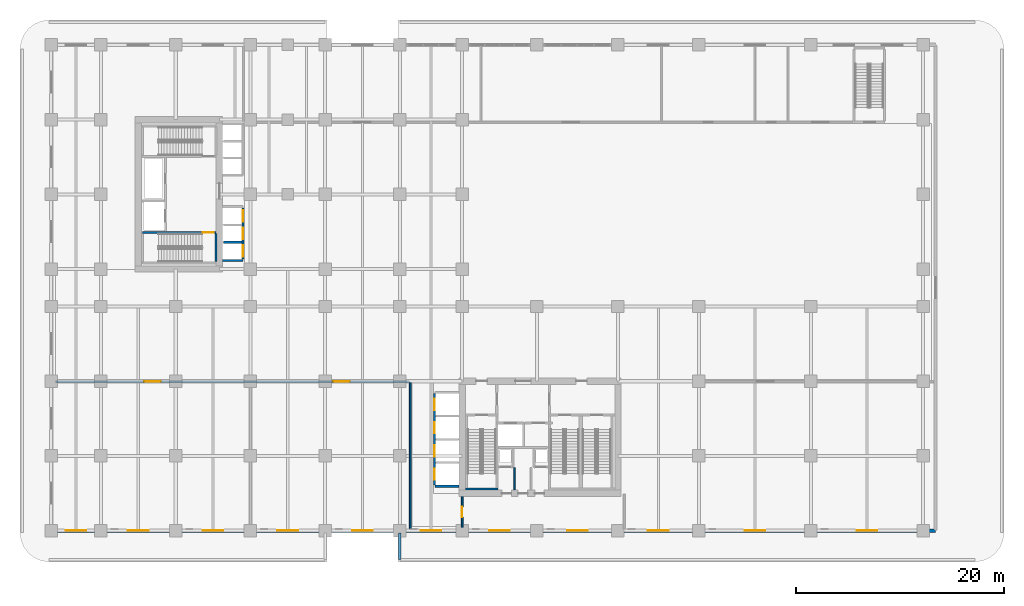
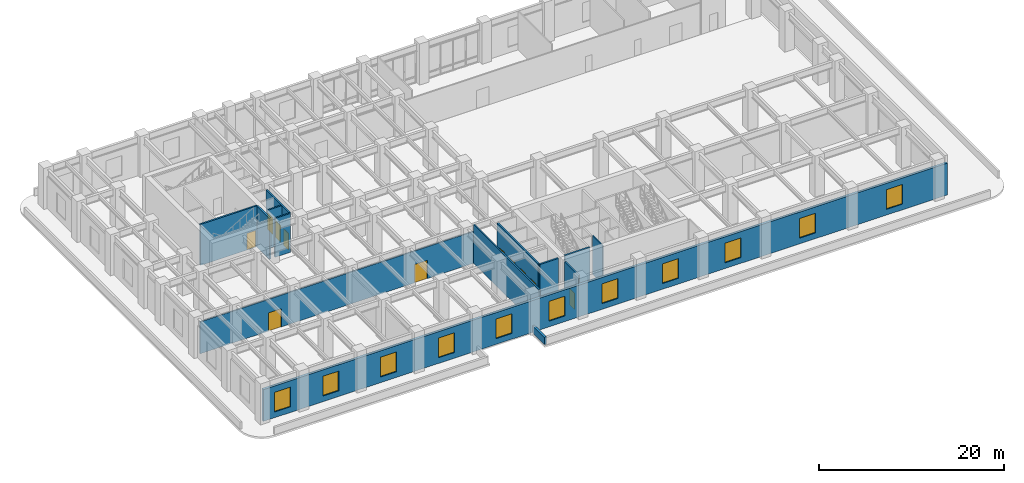
# One storey, part 10 of 20: 14 walls, 11 doors, 11 windows, 22 openings.
"""IFC4 building model written with IfcOpenShell, lengths in metres."""

from ifc_helpers import new_model, si_unit, derived_unit, direction, frame, frame_2d, origin, place, context, subcontext, project, spatial, rectangle, extrude, source, transform, mapped, material, layer, layer_set, type_object, type_shapes, element, fill, save


model = new_model("IFC4")

# Units and contexts
model_context = context("Model", 3, precision=1e-05, world=origin(), true_north=direction((0.0, 1.0)))
body_context = subcontext(model_context, "Body", "Model", "MODEL_VIEW")
ifc_project = project(units=[si_unit("LENGTHUNIT", "METRE"), si_unit("AREAUNIT", "SQUARE_METRE"), si_unit("VOLUMEUNIT", "CUBIC_METRE"), si_unit("PLANEANGLEUNIT", "RADIAN"), si_unit("MASSUNIT", "GRAM", prefix="KILO"), si_unit("THERMODYNAMICTEMPERATUREUNIT", "KELVIN"), si_unit("POWERUNIT", "WATT"), derived_unit("THERMALTRANSMITTANCEUNIT", [(si_unit("POWERUNIT", "WATT"), 1), (si_unit("AREAUNIT", "SQUARE_METRE"), -1), (si_unit("THERMODYNAMICTEMPERATUREUNIT", "KELVIN"), -1)])], contexts=[model_context])

# Site, building, storey
site_placement = place(None, origin())
site = spatial("IfcSite", under=ifc_project, at=site_placement, CompositionType="ELEMENT")
building_placement = place(site_placement, origin())
building = spatial("IfcBuilding", under=site, at=building_placement, Name="Zahravan Archway Hotel and Residences", CompositionType="ELEMENT")
storey_placement = place(building_placement, frame((0.0, 0.0, 16.199951171875)))
storey = spatial("IfcBuildingStorey", under=building, at=storey_placement, Name="L03", CompositionType="ELEMENT", Elevation=16.199951171875)

# Wall
ifc_material_1 = material(Name="Agra Buff Sandstone Coping Wall", Category="masonry")
ifc_layer_1 = layer(ifc_material_1, 0.25, Name="Agra Buff Sandstone Coping Wall", Category="masonry")
ifc_layer_set_1 = layer_set([ifc_layer_1], Name="Agra Buff Sandstone Coping Wall")
wall_type_1 = type_object("IfcWallType", Name="EW-PARA-250", PredefinedType="PARAPET", material=ifc_layer_set_1)
wall_1_placement = place(storey_placement, frame((28.800048828125, -2.800048828125, 0.0), z_axis=(0.0, 0.0, 1.0), x_axis=(0.0, 1.0, 0.0)))
element("IfcWall", 1, at=wall_1_placement, inside=storey, type_object=wall_type_1, Name="L03 Portico Coping Parapet 3", PredefinedType="PARAPET", context=body_context, shape_type="SweptSolid", body=[
    extrude(rectangle(XDim=2.570068359375, YDim=0.25, at=frame_2d((1.28515625, 0.0))), origin(), (0.0, 0.0, 1.0), 0.949951171875),
])

# Wall, openings, windows
ifc_material_2 = material(Name="Agra Buff Sandstone & Insulated Backup", Category="masonry")
ifc_layer_2 = layer(ifc_material_2, 0.320068359375, Name="Agra Buff Sandstone & Insulated Backup", Category="masonry")
ifc_layer_set_2 = layer_set([ifc_layer_2], Name="Agra Buff Sandstone & Insulated Backup")
wall_type_2 = type_object("IfcWallType", Name="EW-SAND-320", PredefinedType="SOLIDWALL", material=ifc_layer_set_2)
wall_2_placement = place(storey_placement, frame((-4.800048828125, 0.0, 0.0), z_axis=(0.0, 0.0, 1.0), x_axis=(1.0, 0.0, 0.0)))
wall_2 = element("IfcWall", 2, at=wall_2_placement, inside=storey, type_object=wall_type_2, Name="L03 Podium Sandstone S Wall", PredefinedType="SOLIDWALL", context=body_context, shape_type="SweptSolid", body=[
    extrude(rectangle(XDim=85.199951171875, YDim=0.320068359375, at=frame_2d((42.60009765625, 0.0))), origin(), (0.0, 0.0, 1.0), 4.18505859375),
])
opening_1_placement = place(wall_2_placement, frame((1.39990234375, 0.0, 0.75)))
opening_1 = element("IfcOpeningElement", 3, at=opening_1_placement, cuts=wall_2, Name="Opening W-01", PredefinedType="OPENING", context=body_context, shape_type="SweptSolid", body=[
    extrude(rectangle(XDim=2.0, YDim=2.60009765625, at=frame_2d((1.0, 1.300048828125))), frame((0.0, 0.169921875, 0.0), z_axis=(0.0, -1.0, 0.0), x_axis=(1.0, 0.0, 0.0)), (0.0, 0.0, 1.0), 0.340087890625),
])
opening_2_placement = place(wall_2_placement, frame((7.39990234375, 0.0, 0.75)))
opening_2 = element("IfcOpeningElement", 4, at=opening_2_placement, cuts=wall_2, Name="Opening W-01", PredefinedType="OPENING", context=body_context, shape_type="SweptSolid", body=[
    extrude(rectangle(XDim=2.0, YDim=2.60009765625, at=frame_2d((1.0, 1.300048828125))), frame((0.0, 0.169921875, 0.0), z_axis=(0.0, -1.0, 0.0), x_axis=(1.0, 0.0, 0.0)), (0.0, 0.0, 1.0), 0.340087890625),
])
opening_3_placement = place(wall_2_placement, frame((14.60009765625, 0.0, 0.75)))
opening_3 = element("IfcOpeningElement", 5, at=opening_3_placement, cuts=wall_2, Name="Opening W-01", PredefinedType="OPENING", context=body_context, shape_type="SweptSolid", body=[
    extrude(rectangle(XDim=2.0, YDim=2.60009765625, at=frame_2d((1.0, 1.300048828125))), frame((0.0, 0.169921875, 0.0), z_axis=(0.0, -1.0, 0.0), x_axis=(1.0, 0.0, 0.0)), (0.0, 0.0, 1.0), 0.340087890625),
])
opening_4_placement = place(wall_2_placement, frame((21.800048828125, 0.0, 0.75)))
opening_4 = element("IfcOpeningElement", 6, at=opening_4_placement, cuts=wall_2, Name="Opening W-01", PredefinedType="OPENING", context=body_context, shape_type="SweptSolid", body=[
    extrude(rectangle(XDim=2.0, YDim=2.60009765625, at=frame_2d((1.0, 1.300048828125))), frame((0.0, 0.169921875, 0.0), z_axis=(0.0, -1.0, 0.0), x_axis=(1.0, 0.0, 0.0)), (0.0, 0.0, 1.0), 0.340087890625),
])
opening_5_placement = place(wall_2_placement, frame((29.0, 0.0, 0.75)))
opening_5 = element("IfcOpeningElement", 7, at=opening_5_placement, cuts=wall_2, Name="Opening W-01", PredefinedType="OPENING", context=body_context, shape_type="SweptSolid", body=[
    extrude(rectangle(XDim=2.0, YDim=2.60009765625, at=frame_2d((1.0, 1.300048828125))), frame((0.0, 0.169921875, 0.0), z_axis=(0.0, -1.0, 0.0), x_axis=(1.0, 0.0, 0.0)), (0.0, 0.0, 1.0), 0.340087890625),
])
opening_6_placement = place(wall_2_placement, frame((35.60009765625, 0.0, 0.75)))
opening_6 = element("IfcOpeningElement", 8, at=opening_6_placement, cuts=wall_2, Name="Opening W-01", PredefinedType="OPENING", context=body_context, shape_type="SweptSolid", body=[
    extrude(rectangle(XDim=2.0, YDim=2.60009765625, at=frame_2d((1.0, 1.300048828125))), frame((0.0, 0.169921875, 0.0), z_axis=(0.0, -1.0, 0.0), x_axis=(1.0, 0.0, 0.0)), (0.0, 0.0, 1.0), 0.340087890625),
])
opening_7_placement = place(wall_2_placement, frame((42.199951171875, 0.0, 0.75)))
opening_7 = element("IfcOpeningElement", 9, at=opening_7_placement, cuts=wall_2, Name="Opening W-01", PredefinedType="OPENING", context=body_context, shape_type="SweptSolid", body=[
    extrude(rectangle(XDim=2.0, YDim=2.60009765625, at=frame_2d((1.0, 1.300048828125))), frame((0.0, 0.169921875, 0.0), z_axis=(0.0, -1.0, 0.0), x_axis=(1.0, 0.0, 0.0)), (0.0, 0.0, 1.0), 0.340087890625),
])
opening_8_placement = place(wall_2_placement, frame((49.699951171875, 0.0, 0.75)))
opening_8 = element("IfcOpeningElement", 10, at=opening_8_placement, cuts=wall_2, Name="Opening W-01", PredefinedType="OPENING", context=body_context, shape_type="SweptSolid", body=[
    extrude(rectangle(XDim=2.0, YDim=2.60009765625, at=frame_2d((1.0, 1.300048828125))), frame((0.0, 0.169921875, 0.0), z_axis=(0.0, -1.0, 0.0), x_axis=(1.0, 0.0, 0.0)), (0.0, 0.0, 1.0), 0.340087890625),
])
opening_9_placement = place(wall_2_placement, frame((57.5, 0.0, 0.75)))
opening_9 = element("IfcOpeningElement", 11, at=opening_9_placement, cuts=wall_2, Name="Opening W-01", PredefinedType="OPENING", context=body_context, shape_type="SweptSolid", body=[
    extrude(rectangle(XDim=2.0, YDim=2.60009765625, at=frame_2d((1.0, 1.300048828125))), frame((0.0, 0.169921875, 0.0), z_axis=(0.0, -1.0, 0.0), x_axis=(1.0, 0.0, 0.0)), (0.0, 0.0, 1.0), 0.340087890625),
])
opening_10_placement = place(wall_2_placement, frame((66.800048828125, 0.0, 0.75)))
opening_10 = element("IfcOpeningElement", 12, at=opening_10_placement, cuts=wall_2, Name="Opening W-01", PredefinedType="OPENING", context=body_context, shape_type="SweptSolid", body=[
    extrude(rectangle(XDim=2.0, YDim=2.60009765625, at=frame_2d((1.0, 1.300048828125))), frame((0.0, 0.169921875, 0.0), z_axis=(0.0, -1.0, 0.0), x_axis=(1.0, 0.0, 0.0)), (0.0, 0.0, 1.0), 0.340087890625),
])
opening_11_placement = place(wall_2_placement, frame((77.60009765625, 0.0, 0.75)))
opening_11 = element("IfcOpeningElement", 13, at=opening_11_placement, cuts=wall_2, Name="Opening W-01", PredefinedType="OPENING", context=body_context, shape_type="SweptSolid", body=[
    extrude(rectangle(XDim=2.0, YDim=2.60009765625, at=frame_2d((1.0, 1.300048828125))), frame((0.0, 0.169921875, 0.0), z_axis=(0.0, -1.0, 0.0), x_axis=(1.0, 0.0, 0.0)), (0.0, 0.0, 1.0), 0.340087890625),
])
ifc_material_3 = material(Name="Bronze-Anodized Thermal-Break Aluminium & Low-E Glass", Category="aluminium")
window_type = type_object("IfcWindowType", Name="WIN-ARC-2000", PartitioningType="DOUBLE_PANEL_VERTICAL", PredefinedType="WINDOW", material=ifc_material_3)
shared_shape_1 = source(origin(), body_context, "Body", "SweptSolid", [
    extrude(rectangle(XDim=2.0, YDim=2.60009765625, at=frame_2d((1.0, 1.300048828125))), frame((0.0, 0.030029296875, 0.0), z_axis=(0.0, -1.0, 0.0), x_axis=(1.0, 0.0, 0.0)), (0.0, 0.0, 1.0), 0.06005859375),
])
type_shapes(window_type, [shared_shape_1])
window_1_placement = place(opening_1_placement, origin())
window_1 = element("IfcWindow", 14, at=window_1_placement, inside=storey, type_object=window_type, Name="L03 Podium Mughal Arch Window 01", OverallHeight=2.60009765625, OverallWidth=2.0, PartitioningType="DOUBLE_PANEL_VERTICAL", PredefinedType="WINDOW", context=body_context, shape_type="MappedRepresentation", body=[
    mapped(shared_shape_1, transform((0.0, 0.0, 0.0), scale=1.0)),
])
fill(opening_1, window_1)
window_2_placement = place(opening_2_placement, origin())
window_2 = element("IfcWindow", 15, at=window_2_placement, inside=storey, type_object=window_type, Name="L03 Podium Mughal Arch Window 02", OverallHeight=2.60009765625, OverallWidth=2.0, PartitioningType="DOUBLE_PANEL_VERTICAL", PredefinedType="WINDOW", context=body_context, shape_type="MappedRepresentation", body=[
    mapped(shared_shape_1, transform((0.0, 0.0, 0.0), scale=1.0)),
])
fill(opening_2, window_2)
window_3_placement = place(opening_3_placement, origin())
window_3 = element("IfcWindow", 16, at=window_3_placement, inside=storey, type_object=window_type, Name="L03 Podium Mughal Arch Window 03", OverallHeight=2.60009765625, OverallWidth=2.0, PartitioningType="DOUBLE_PANEL_VERTICAL", PredefinedType="WINDOW", context=body_context, shape_type="MappedRepresentation", body=[
    mapped(shared_shape_1, transform((0.0, 0.0, 0.0), scale=1.0)),
])
fill(opening_3, window_3)
window_4_placement = place(opening_4_placement, origin())
window_4 = element("IfcWindow", 17, at=window_4_placement, inside=storey, type_object=window_type, Name="L03 Podium Mughal Arch Window 04", OverallHeight=2.60009765625, OverallWidth=2.0, PartitioningType="DOUBLE_PANEL_VERTICAL", PredefinedType="WINDOW", context=body_context, shape_type="MappedRepresentation", body=[
    mapped(shared_shape_1, transform((0.0, 0.0, 0.0), scale=1.0)),
])
fill(opening_4, window_4)
window_5_placement = place(opening_5_placement, origin())
window_5 = element("IfcWindow", 18, at=window_5_placement, inside=storey, type_object=window_type, Name="L03 Podium Mughal Arch Window 05", OverallHeight=2.60009765625, OverallWidth=2.0, PartitioningType="DOUBLE_PANEL_VERTICAL", PredefinedType="WINDOW", context=body_context, shape_type="MappedRepresentation", body=[
    mapped(shared_shape_1, transform((0.0, 0.0, 0.0), scale=1.0)),
])
fill(opening_5, window_5)
window_6_placement = place(opening_6_placement, origin())
window_6 = element("IfcWindow", 19, at=window_6_placement, inside=storey, type_object=window_type, Name="L03 Podium Mughal Arch Window 06", OverallHeight=2.60009765625, OverallWidth=2.0, PartitioningType="DOUBLE_PANEL_VERTICAL", PredefinedType="WINDOW", context=body_context, shape_type="MappedRepresentation", body=[
    mapped(shared_shape_1, transform((0.0, 0.0, 0.0), scale=1.0)),
])
fill(opening_6, window_6)
window_7_placement = place(opening_7_placement, origin())
window_7 = element("IfcWindow", 20, at=window_7_placement, inside=storey, type_object=window_type, Name="L03 Podium Mughal Arch Window 07", OverallHeight=2.60009765625, OverallWidth=2.0, PartitioningType="DOUBLE_PANEL_VERTICAL", PredefinedType="WINDOW", context=body_context, shape_type="MappedRepresentation", body=[
    mapped(shared_shape_1, transform((0.0, 0.0, 0.0), scale=1.0)),
])
fill(opening_7, window_7)
window_8_placement = place(opening_8_placement, origin())
window_8 = element("IfcWindow", 21, at=window_8_placement, inside=storey, type_object=window_type, Name="L03 Podium Mughal Arch Window 08", OverallHeight=2.60009765625, OverallWidth=2.0, PartitioningType="DOUBLE_PANEL_VERTICAL", PredefinedType="WINDOW", context=body_context, shape_type="MappedRepresentation", body=[
    mapped(shared_shape_1, transform((0.0, 0.0, 0.0), scale=1.0)),
])
fill(opening_8, window_8)
window_9_placement = place(opening_9_placement, origin())
window_9 = element("IfcWindow", 22, at=window_9_placement, inside=storey, type_object=window_type, Name="L03 Podium Mughal Arch Window 09", OverallHeight=2.60009765625, OverallWidth=2.0, PartitioningType="DOUBLE_PANEL_VERTICAL", PredefinedType="WINDOW", context=body_context, shape_type="MappedRepresentation", body=[
    mapped(shared_shape_1, transform((0.0, 0.0, 0.0), scale=1.0)),
])
fill(opening_9, window_9)
window_10_placement = place(opening_10_placement, origin())
window_10 = element("IfcWindow", 23, at=window_10_placement, inside=storey, type_object=window_type, Name="L03 Podium Mughal Arch Window 10", OverallHeight=2.60009765625, OverallWidth=2.0, PartitioningType="DOUBLE_PANEL_VERTICAL", PredefinedType="WINDOW", context=body_context, shape_type="MappedRepresentation", body=[
    mapped(shared_shape_1, transform((0.0, 0.0, 0.0), scale=1.0)),
])
fill(opening_10, window_10)
window_11_placement = place(opening_11_placement, origin())
window_11 = element("IfcWindow", 24, at=window_11_placement, inside=storey, type_object=window_type, Name="L03 Podium Mughal Arch Window 11", OverallHeight=2.60009765625, OverallWidth=2.0, PartitioningType="DOUBLE_PANEL_VERTICAL", PredefinedType="WINDOW", context=body_context, shape_type="MappedRepresentation", body=[
    mapped(shared_shape_1, transform((0.0, 0.0, 0.0), scale=1.0)),
])
fill(opening_11, window_11)

# Wall, opening, door
ifc_material_4 = material(Name="Fire-Rated Gypsum & Concrete Block", Category="concrete")
ifc_layer_3 = layer(ifc_material_4, 0.159912109375, Name="Fire-Rated Gypsum & Concrete Block", Category="concrete")
ifc_layer_set_3 = layer_set([ifc_layer_3], Name="Fire-Rated Gypsum & Concrete Block")
wall_type_3 = type_object("IfcWallType", Name="PW-CORR-160", PredefinedType="PARTITIONING", material=ifc_layer_set_3)
wall_3_placement = place(storey_placement, frame((34.800048828125, 0.320068359375, 0.0), z_axis=(0.0, 0.0, 1.0), x_axis=(0.0, 1.0, 0.0)))
wall_3 = element("IfcWall", 25, at=wall_3_placement, inside=storey, type_object=wall_type_3, Name="L03 Partition L03-CAS", PredefinedType="PARTITIONING", context=body_context, shape_type="SweptSolid", body=[
    extrude(rectangle(XDim=2.9599609375, YDim=0.159912109375, at=frame_2d((1.47998046875, 0.0))), origin(), (0.0, 0.0, 1.0), 5.10009765625),
])
opening_12_placement = place(wall_3_placement, frame((0.955078125, 0.0, 0.0)))
opening_12 = element("IfcOpeningElement", 26, at=opening_12_placement, cuts=wall_3, Name="Opening FD-L2", PredefinedType="OPENING", context=body_context, shape_type="SweptSolid", body=[
    extrude(rectangle(XDim=1.050048828125, YDim=2.14990234375, at=frame_2d((0.52490234375, 1.074951171875))), frame((0.0, 0.08984375, 0.0), z_axis=(0.0, -1.0, 0.0), x_axis=(1.0, 0.0, 0.0)), (0.0, 0.0, 1.0), 0.179931640625),
])
ifc_material_5 = material(Name="Fire-Rated Painted Steel", Category="steel")
door_type_1 = type_object("IfcDoorType", Name="FD-LOBBY-1100", OperationType="NOTDEFINED", PredefinedType="DOOR", material=ifc_material_5)
shared_shape_2 = source(origin(), body_context, "Body", "SweptSolid", [
    extrude(rectangle(XDim=1.050048828125, YDim=2.14990234375, at=frame_2d((0.52490234375, 1.074951171875))), frame((0.0, 0.02490234375, 0.0), z_axis=(0.0, -1.0, 0.0), x_axis=(1.0, 0.0, 0.0)), (0.0, 0.0, 1.0), 0.050048828125),
])
type_shapes(door_type_1, [shared_shape_2])
door_1_placement = place(opening_12_placement, origin())
door_1 = element("IfcDoor", 27, at=door_1_placement, inside=storey, type_object=door_type_1, Name="L03 South Riser Access Door", OperationType="SINGLE_SWING_RIGHT", OverallHeight=2.14990234375, OverallWidth=1.050048828125, PredefinedType="DOOR", context=body_context, shape_type="MappedRepresentation", body=[
    mapped(shared_shape_2, transform((0.0, 0.0, 0.0), scale=1.0)),
])
fill(opening_12, door_1)

# Wall, openings, doors
wall_4_placement = place(storey_placement, frame((-4.360107421875, 14.35009765625, 0.0), z_axis=(0.0, 0.0, 1.0), x_axis=(1.0, 0.0, 0.0)))
wall_4 = element("IfcWall", 28, at=wall_4_placement, inside=storey, type_object=wall_type_3, Name="L03 Partition L03-GS", PredefinedType="PARTITIONING", context=body_context, shape_type="SweptSolid", body=[
    extrude(rectangle(XDim=34.070068359375, YDim=0.159912109375, at=frame_2d((17.03515625, 0.0))), origin(), (0.0, 0.0, 1.0), 4.18505859375),
])
opening_13_placement = place(wall_4_placement, frame((8.534912109375, 0.0, 0.0)))
opening_13 = element("IfcOpeningElement", 29, at=opening_13_placement, cuts=wall_4, Name="Opening D-P2", PredefinedType="OPENING", context=body_context, shape_type="SweptSolid", body=[
    extrude(rectangle(XDim=1.60009765625, YDim=2.39990234375, at=frame_2d((0.800048828125, 1.199951171875))), frame((0.0, 0.08984375, 0.0), z_axis=(0.0, -1.0, 0.0), x_axis=(1.0, 0.0, 0.0)), (0.0, 0.0, 1.0), 0.179931640625),
])
opening_14_placement = place(wall_4_placement, frame((26.722412109375, 0.0, 0.0)))
opening_14 = element("IfcOpeningElement", 30, at=opening_14_placement, cuts=wall_4, Name="Opening D-P2", PredefinedType="OPENING", context=body_context, shape_type="SweptSolid", body=[
    extrude(rectangle(XDim=1.60009765625, YDim=2.39990234375, at=frame_2d((0.800048828125, 1.199951171875))), frame((0.0, 0.08984375, 0.0), z_axis=(0.0, -1.0, 0.0), x_axis=(1.0, 0.0, 0.0)), (0.0, 0.0, 1.0), 0.179931640625),
])
ifc_material_6 = material(Name="Bronze-Anodized Glazed Aluminium", Category="aluminium")
door_type_2 = type_object("IfcDoorType", Name="ID-PUBLIC-1600", OperationType="DOUBLE_DOOR_SINGLE_SWING", PredefinedType="DOOR", material=ifc_material_6)
shared_shape_3 = source(origin(), body_context, "Body", "SweptSolid", [
    extrude(rectangle(XDim=1.60009765625, YDim=2.39990234375, at=frame_2d((0.800048828125, 1.199951171875))), frame((0.0, 0.02490234375, 0.0), z_axis=(0.0, -1.0, 0.0), x_axis=(1.0, 0.0, 0.0)), (0.0, 0.0, 1.0), 0.050048828125),
])
type_shapes(door_type_2, [shared_shape_3])
door_2_placement = place(opening_13_placement, origin())
door_2 = element("IfcDoor", 31, at=door_2_placement, inside=storey, type_object=door_type_2, Name="L03 Executive Conference Suite A Door", OperationType="DOUBLE_DOOR_SINGLE_SWING", OverallHeight=2.39990234375, OverallWidth=1.60009765625, PredefinedType="DOOR", context=body_context, shape_type="MappedRepresentation", body=[
    mapped(shared_shape_3, transform((0.0, 0.0, 0.0), scale=1.0)),
])
fill(opening_13, door_2)
door_3_placement = place(opening_14_placement, origin())
door_3 = element("IfcDoor", 32, at=door_3_placement, inside=storey, type_object=door_type_2, Name="L03 Boardrooms & Breakout Lounge Door", OperationType="DOUBLE_DOOR_SINGLE_SWING", OverallHeight=2.39990234375, OverallWidth=1.60009765625, PredefinedType="DOOR", context=body_context, shape_type="MappedRepresentation", body=[
    mapped(shared_shape_3, transform((0.0, 0.0, 0.0), scale=1.0)),
])
fill(opening_14, door_3)

# Wall
ifc_layer_4 = layer(ifc_material_4, 0.199951171875, Name="Fire-Rated Gypsum & Concrete Block", Category="concrete")
ifc_layer_set_4 = layer_set([ifc_layer_4], Name="Fire-Rated Gypsum & Concrete Block")
wall_type_4 = type_object("IfcWallType", Name="PW-SHAFT-200", PredefinedType="PARTITIONING", material=ifc_layer_set_4)
wall_5_placement = place(storey_placement, frame((32.159912109375, 4.280029296875, 0.0), z_axis=(0.0, 0.0, 1.0), x_axis=(1.0, 0.0, 0.0)))
element("IfcWall", 33, at=wall_5_placement, inside=storey, type_object=wall_type_4, Name="L03 Partition B3-S", PredefinedType="PARTITIONING", context=body_context, shape_type="SweptSolid", body=[
    extrude(rectangle(XDim=2.31005859375, YDim=0.199951171875, at=frame_2d((1.155029296875, 0.0))), origin(), (0.0, 0.0, 1.0), 5.10009765625),
])

# Wall, openings, doors
wall_6_placement = place(storey_placement, frame((32.14990234375, 4.389892578125, 0.0), z_axis=(0.0, 0.0, 1.0), x_axis=(0.0, 1.0, 0.0)))
wall_6 = element("IfcWall", 34, at=wall_6_placement, inside=storey, type_object=wall_type_4, Name="L03 Partition B3-W", PredefinedType="PARTITIONING", context=body_context, shape_type="SweptSolid", body=[
    extrude(rectangle(XDim=8.820068359375, YDim=0.199951171875, at=frame_2d((4.41015625, 0.0))), origin(), (0.0, 0.0, 1.0), 5.10009765625),
])
opening_15_placement = place(wall_6_placement, frame((0.5, 0.0, 0.0)))
opening_15 = element("IfcOpeningElement", 35, at=opening_15_placement, cuts=wall_6, Name="Opening LD", PredefinedType="OPENING", context=body_context, shape_type="SweptSolid", body=[
    extrude(rectangle(XDim=1.10009765625, YDim=2.199951171875, at=frame_2d((0.550048828125, 1.10009765625))), frame((0.0, 0.10986328125, 0.0), z_axis=(0.0, -1.0, 0.0), x_axis=(1.0, 0.0, 0.0)), (0.0, 0.0, 1.0), 0.219970703125),
])
opening_16_placement = place(wall_6_placement, frame((2.739990234375, 0.0, 0.0)))
opening_16 = element("IfcOpeningElement", 36, at=opening_16_placement, cuts=wall_6, Name="Opening LD", PredefinedType="OPENING", context=body_context, shape_type="SweptSolid", body=[
    extrude(rectangle(XDim=1.10009765625, YDim=2.199951171875, at=frame_2d((0.550048828125, 1.10009765625))), frame((0.0, 0.10986328125, 0.0), z_axis=(0.0, -1.0, 0.0), x_axis=(1.0, 0.0, 0.0)), (0.0, 0.0, 1.0), 0.219970703125),
])
opening_17_placement = place(wall_6_placement, frame((4.97998046875, 0.0, 0.0)))
opening_17 = element("IfcOpeningElement", 37, at=opening_17_placement, cuts=wall_6, Name="Opening LD", PredefinedType="OPENING", context=body_context, shape_type="SweptSolid", body=[
    extrude(rectangle(XDim=1.10009765625, YDim=2.199951171875, at=frame_2d((0.550048828125, 1.10009765625))), frame((0.0, 0.10986328125, 0.0), z_axis=(0.0, -1.0, 0.0), x_axis=(1.0, 0.0, 0.0)), (0.0, 0.0, 1.0), 0.219970703125),
])
opening_18_placement = place(wall_6_placement, frame((7.219970703125, 0.0, 0.0)))
opening_18 = element("IfcOpeningElement", 38, at=opening_18_placement, cuts=wall_6, Name="Opening LD", PredefinedType="OPENING", context=body_context, shape_type="SweptSolid", body=[
    extrude(rectangle(XDim=1.10009765625, YDim=2.199951171875, at=frame_2d((0.550048828125, 1.10009765625))), frame((0.0, 0.10986328125, 0.0), z_axis=(0.0, -1.0, 0.0), x_axis=(1.0, 0.0, 0.0)), (0.0, 0.0, 1.0), 0.219970703125),
])
ifc_material_7 = material(Name="Brushed Stainless Steel", Category="steel")
door_type_3 = type_object("IfcDoorType", Name="DR-LIFT-LD", OperationType="SLIDING_TO_LEFT", PredefinedType="DOOR", material=ifc_material_7)
shared_shape_4 = source(origin(), body_context, "Body", "SweptSolid", [
    extrude(rectangle(XDim=1.10009765625, YDim=2.199951171875, at=frame_2d((0.550048828125, 1.10009765625))), frame((0.0, 0.02490234375, 0.0), z_axis=(0.0, -1.0, 0.0), x_axis=(1.0, 0.0, 0.0)), (0.0, 0.0, 1.0), 0.050048828125),
])
type_shapes(door_type_3, [shared_shape_4])
door_4_placement = place(opening_15_placement, origin())
door_4 = element("IfcDoor", 39, at=door_4_placement, inside=storey, type_object=door_type_3, Name="L03 Lift LP-7 Sliding Landing Door", OperationType="SLIDING_TO_LEFT", OverallHeight=2.199951171875, OverallWidth=1.10009765625, PredefinedType="DOOR", context=body_context, shape_type="MappedRepresentation", body=[
    mapped(shared_shape_4, transform((0.0, 0.0, 0.0), scale=1.0)),
])
fill(opening_15, door_4)
door_5_placement = place(opening_16_placement, origin())
door_5 = element("IfcDoor", 40, at=door_5_placement, inside=storey, type_object=door_type_3, Name="L03 Lift LP-8 Sliding Landing Door", OperationType="SLIDING_TO_LEFT", OverallHeight=2.199951171875, OverallWidth=1.10009765625, PredefinedType="DOOR", context=body_context, shape_type="MappedRepresentation", body=[
    mapped(shared_shape_4, transform((0.0, 0.0, 0.0), scale=1.0)),
])
fill(opening_16, door_5)
door_6_placement = place(opening_17_placement, origin())
door_6 = element("IfcDoor", 41, at=door_6_placement, inside=storey, type_object=door_type_3, Name="L03 Lift LP-9 Sliding Landing Door", OperationType="SLIDING_TO_LEFT", OverallHeight=2.199951171875, OverallWidth=1.10009765625, PredefinedType="DOOR", context=body_context, shape_type="MappedRepresentation", body=[
    mapped(shared_shape_4, transform((0.0, 0.0, 0.0), scale=1.0)),
])
fill(opening_17, door_6)
door_7_placement = place(opening_18_placement, origin())
door_7 = element("IfcDoor", 42, at=door_7_placement, inside=storey, type_object=door_type_3, Name="L03 Lift LP-10 Sliding Landing Door", OperationType="SLIDING_TO_LEFT", OverallHeight=2.199951171875, OverallWidth=1.10009765625, PredefinedType="DOOR", context=body_context, shape_type="MappedRepresentation", body=[
    mapped(shared_shape_4, transform((0.0, 0.0, 0.0), scale=1.0)),
])
fill(opening_18, door_7)

# Wall
wall_7_placement = place(storey_placement, frame((11.7099609375, 26.050048828125, 0.0), z_axis=(0.0, 0.0, 1.0), x_axis=(1.0, 0.0, 0.0)))
element("IfcWall", 43, at=wall_7_placement, inside=storey, type_object=wall_type_4, Name="L03 Partition B1-S", PredefinedType="PARTITIONING", context=body_context, shape_type="SweptSolid", body=[
    extrude(rectangle(XDim=1.9599609375, YDim=0.199951171875, at=frame_2d((0.97998046875, 0.0))), origin(), (0.0, 0.0, 1.0), 5.10009765625),
])

# Wall, openings, doors
wall_8_placement = place(storey_placement, frame((13.679931640625, 26.159912109375, 0.0), z_axis=(0.0, 0.0, 1.0), x_axis=(0.0, 1.0, 0.0)))
wall_8 = element("IfcWall", 44, at=wall_8_placement, inside=storey, type_object=wall_type_4, Name="L03 Partition B1-E", PredefinedType="PARTITIONING", context=body_context, shape_type="SweptSolid", body=[
    extrude(rectangle(XDim=4.940185546875, YDim=0.199951171875, at=frame_2d((2.47021484375, 0.0))), origin(), (0.0, 0.0, 1.0), 5.10009765625),
])
opening_19_placement = place(wall_8_placement, frame((0.239990234375, 0.0, 0.0)))
opening_19 = element("IfcOpeningElement", 45, at=opening_19_placement, cuts=wall_8, Name="Opening LD", PredefinedType="OPENING", context=body_context, shape_type="SweptSolid", body=[
    extrude(rectangle(XDim=1.10009765625, YDim=2.199951171875, at=frame_2d((0.550048828125, 1.10009765625))), frame((0.0, 0.10986328125, 0.0), z_axis=(0.0, -1.0, 0.0), x_axis=(1.0, 0.0, 0.0)), (0.0, 0.0, 1.0), 0.219970703125),
])
opening_20_placement = place(wall_8_placement, frame((1.919921875, 0.0, 0.0)))
opening_20 = element("IfcOpeningElement", 46, at=opening_20_placement, cuts=wall_8, Name="Opening LD", PredefinedType="OPENING", context=body_context, shape_type="SweptSolid", body=[
    extrude(rectangle(XDim=1.10009765625, YDim=2.199951171875, at=frame_2d((0.550048828125, 1.10009765625))), frame((0.0, 0.10986328125, 0.0), z_axis=(0.0, -1.0, 0.0), x_axis=(1.0, 0.0, 0.0)), (0.0, 0.0, 1.0), 0.219970703125),
])
opening_21_placement = place(wall_8_placement, frame((3.60009765625, 0.0, 0.0)))
opening_21 = element("IfcOpeningElement", 47, at=opening_21_placement, cuts=wall_8, Name="Opening LD", PredefinedType="OPENING", context=body_context, shape_type="SweptSolid", body=[
    extrude(rectangle(XDim=1.10009765625, YDim=2.199951171875, at=frame_2d((0.550048828125, 1.10009765625))), frame((0.0, 0.10986328125, 0.0), z_axis=(0.0, -1.0, 0.0), x_axis=(1.0, 0.0, 0.0)), (0.0, 0.0, 1.0), 0.219970703125),
])
door_8_placement = place(opening_19_placement, origin())
door_8 = element("IfcDoor", 48, at=door_8_placement, inside=storey, type_object=door_type_3, Name="L03 Lift LP-1 Sliding Landing Door", OperationType="SLIDING_TO_LEFT", OverallHeight=2.199951171875, OverallWidth=1.10009765625, PredefinedType="DOOR", context=body_context, shape_type="MappedRepresentation", body=[
    mapped(shared_shape_4, transform((0.0, 0.0, 0.0), scale=1.0)),
])
fill(opening_19, door_8)
door_9_placement = place(opening_20_placement, origin())
door_9 = element("IfcDoor", 49, at=door_9_placement, inside=storey, type_object=door_type_3, Name="L03 Lift LP-2 Sliding Landing Door", OperationType="SLIDING_TO_LEFT", OverallHeight=2.199951171875, OverallWidth=1.10009765625, PredefinedType="DOOR", context=body_context, shape_type="MappedRepresentation", body=[
    mapped(shared_shape_4, transform((0.0, 0.0, 0.0), scale=1.0)),
])
fill(opening_20, door_9)
door_10_placement = place(opening_21_placement, origin())
door_10 = element("IfcDoor", 50, at=door_10_placement, inside=storey, type_object=door_type_3, Name="L03 Lift LP-3 Sliding Landing Door", OperationType="SLIDING_TO_LEFT", OverallHeight=2.199951171875, OverallWidth=1.10009765625, PredefinedType="DOOR", context=body_context, shape_type="MappedRepresentation", body=[
    mapped(shared_shape_4, transform((0.0, 0.0, 0.0), scale=1.0)),
])
fill(opening_21, door_10)

# Walls
wall_9_placement = place(storey_placement, frame((11.81005859375, 27.7900390625, 0.0), z_axis=(0.0, 0.0, 1.0), x_axis=(1.0, 0.0, 0.0)))
element("IfcWall", 51, at=wall_9_placement, inside=storey, type_object=wall_type_4, Name="L03 Partition B1-D", PredefinedType="PARTITIONING", context=body_context, shape_type="SweptSolid", body=[
    extrude(rectangle(XDim=1.760009765625, YDim=0.199951171875, at=frame_2d((0.8798828125, 0.0))), origin(), (0.0, 0.0, 1.0), 5.10009765625),
])
ifc_material_8 = material(Name="Acoustic Stud Partition")
ifc_layer_5 = layer(ifc_material_8, 0.169921875, Name="Acoustic Stud Partition")
ifc_layer_set_5 = layer_set([ifc_layer_5], Name="Acoustic Stud Partition")
wall_type_5 = type_object("IfcWallType", Name="PW-UNIT-170", PredefinedType="PARTITIONING", material=ifc_layer_set_5)
wall_10_placement = place(storey_placement, frame((29.800048828125, 0.16796875, 0.0), z_axis=(0.0, 0.0, 1.0), x_axis=(0.0, 1.0, 0.0)))
element("IfcWall", 52, at=wall_10_placement, inside=storey, type_object=wall_type_5, Name="L03 Partition L03-SVE", PredefinedType="PARTITIONING", context=body_context, shape_type="SweptSolid", body=[
    extrude(rectangle(XDim=14.092041015625, YDim=0.169921875, at=frame_2d((7.0458984375, 0.0))), origin(), (0.0, 0.0, 1.0), 5.10009765625),
])
ifc_material_9 = material(Name="Moisture-Resistant Blockwork", Category="masonry")
ifc_layer_6 = layer(ifc_material_9, 0.139892578125, Name="Moisture-Resistant Blockwork", Category="masonry")
ifc_layer_set_6 = layer_set([ifc_layer_6], Name="Moisture-Resistant Blockwork")
wall_type_6 = type_object("IfcWallType", Name="PW-WET-140", PredefinedType="PARTITIONING", material=ifc_layer_set_6)
wall_11_placement = place(storey_placement, frame((39.85009765625, 3.919921875, 0.0), z_axis=(0.0, 0.0, 1.0), x_axis=(0.0, 1.0, 0.0)))
element("IfcWall", 53, at=wall_11_placement, inside=storey, type_object=wall_type_6, Name="L03 Partition CA-CV1A", PredefinedType="PARTITIONING", context=body_context, shape_type="SweptSolid", body=[
    extrude(rectangle(XDim=2.16015625, YDim=0.139892578125, at=frame_2d((1.080078125, 0.0))), origin(), (0.0, 0.0, 1.0), 5.10009765625),
])
ifc_material_10 = material(Name="Concrete C50/60", Category="concrete")
ifc_layer_7 = layer(ifc_material_10, 0.199951171875, Name="Concrete C50/60", Category="concrete")
ifc_layer_set_7 = layer_set([ifc_layer_7], Name="Concrete C50/60")
wall_type_7 = type_object("IfcWallType", Name="SW-STAIR-200", PredefinedType="SHEAR", material=ifc_layer_set_7)
wall_12_placement = place(storey_placement, frame((35.10009765625, 4.0, 0.0), z_axis=(0.0, 0.0, 1.0), x_axis=(1.0, 0.0, 0.0)))
element("IfcWall", 54, at=wall_12_placement, inside=storey, type_object=wall_type_7, Name="L03 Stairwell RC Wall CA-SA1S", PredefinedType="SHEAR", context=body_context, shape_type="SweptSolid", body=[
    extrude(rectangle(XDim=3.139892578125, YDim=0.199951171875, at=frame_2d((1.56982421875, 0.0))), origin(), (0.0, 0.0, 1.0), 5.400146484375),
])
wall_13_placement = place(storey_placement, frame((11.10009765625, 25.919921875, 0.0), z_axis=(0.0, 0.0, 1.0), x_axis=(0.0, 1.0, 0.0)))
element("IfcWall", 55, at=wall_13_placement, inside=storey, type_object=wall_type_7, Name="L03 Stairwell RC Wall CB-SB1E", PredefinedType="SHEAR", context=body_context, shape_type="SweptSolid", body=[
    extrude(rectangle(XDim=2.7001953125, YDim=0.199951171875, at=frame_2d((1.35009765625, 0.0))), origin(), (0.0, 0.0, 1.0), 5.400146484375),
])

# Wall, opening, door
wall_14_placement = place(storey_placement, frame((4.0, 28.739990234375, 0.0), z_axis=(0.0, 0.0, 1.0), x_axis=(1.0, 0.0, 0.0)))
wall_14 = element("IfcWall", 56, at=wall_14_placement, inside=storey, type_object=wall_type_7, Name="L03 Stairwell RC Wall CB-SB1N", PredefinedType="SHEAR", context=body_context, shape_type="SweptSolid", body=[
    extrude(rectangle(XDim=7.10009765625, YDim=0.199951171875, at=frame_2d((3.550048828125, 0.0))), origin(), (0.0, 0.0, 1.0), 5.400146484375),
])
opening_22_placement = place(wall_14_placement, frame((5.81494140625, 0.0, 0.0)))
opening_22 = element("IfcOpeningElement", 57, at=opening_22_placement, cuts=wall_14, Name="Opening FD-S1", PredefinedType="OPENING", context=body_context, shape_type="SweptSolid", body=[
    extrude(rectangle(XDim=1.050048828125, YDim=2.199951171875, at=frame_2d((0.52490234375, 1.10009765625))), frame((0.0, 0.10986328125, 0.0), z_axis=(0.0, -1.0, 0.0), x_axis=(1.0, 0.0, 0.0)), (0.0, 0.0, 1.0), 0.219970703125),
])
door_type_4 = type_object("IfcDoorType", Name="FD-STAIR-1100", OperationType="NOTDEFINED", PredefinedType="DOOR", material=ifc_material_5)
shared_shape_5 = source(origin(), body_context, "Body", "SweptSolid", [
    extrude(rectangle(XDim=1.050048828125, YDim=2.199951171875, at=frame_2d((0.52490234375, 1.10009765625))), frame((0.0, 0.02490234375, 0.0), z_axis=(0.0, -1.0, 0.0), x_axis=(1.0, 0.0, 0.0)), (0.0, 0.0, 1.0), 0.050048828125),
])
type_shapes(door_type_4, [shared_shape_5])
door_11_placement = place(opening_22_placement, origin())
door_11 = element("IfcDoor", 58, at=door_11_placement, inside=storey, type_object=door_type_4, Name="L03 Stair ST-B1 Door", OperationType="SINGLE_SWING_RIGHT", OverallHeight=2.199951171875, OverallWidth=1.050048828125, PredefinedType="DOOR", context=body_context, shape_type="MappedRepresentation", body=[
    mapped(shared_shape_5, transform((0.0, 0.0, 0.0), scale=1.0)),
])
fill(opening_22, door_11)

save(model, "model.ifc")
